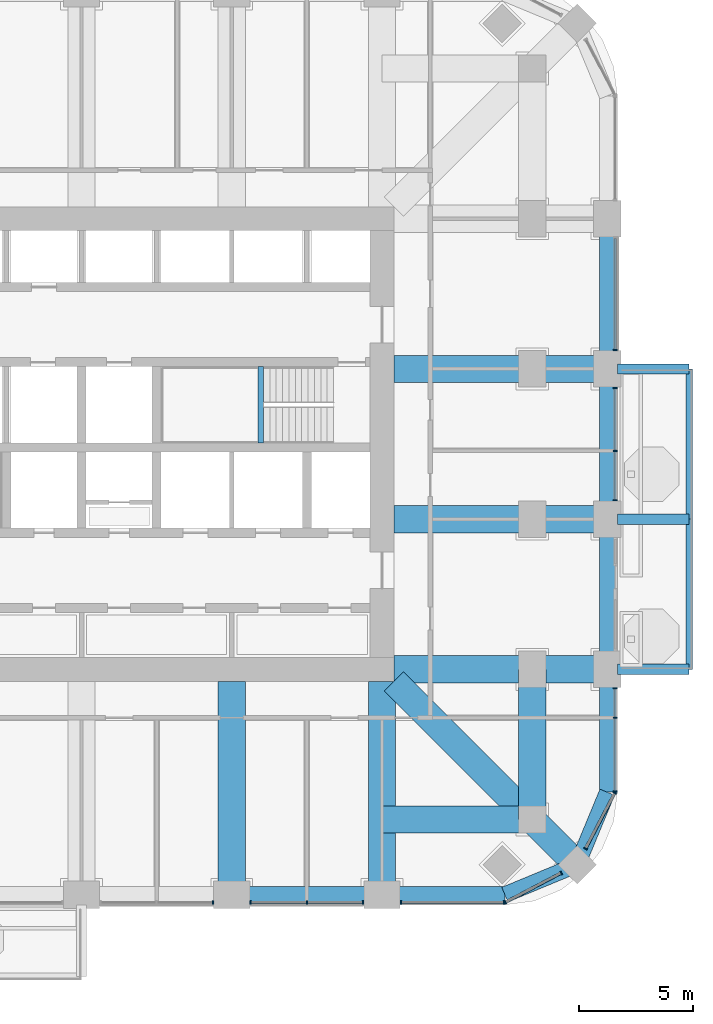
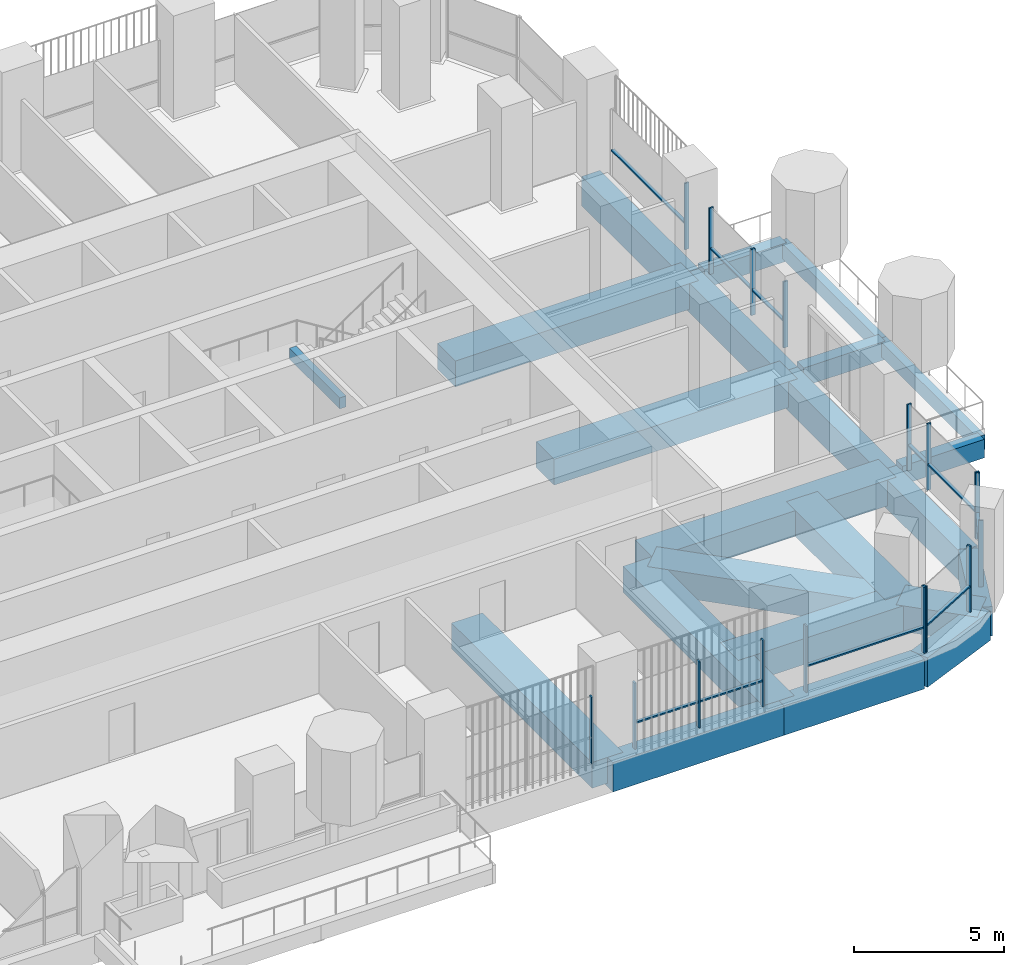
# One storey, part 5 of 20: 27 members, 23 beams, 8 elements without a shape of their own.
"""IFC4 building model written with IfcOpenShell, lengths in metres."""

from ifc_helpers import new_model, si_unit, direction, frame, origin, origin_2d, place, context, subcontext, project, spatial, rectangle, extrude, material, material_profile, profile_set, type_object, element, aggregate, save


model = new_model("IFC4")

# Units and contexts
model_context = context("Model", 3, precision=1e-05, world=origin(), true_north=direction((0.0, 1.0)))
body_context = subcontext(model_context, "Body", "Model", "MODEL_VIEW")
ifc_project = project(units=[si_unit("LENGTHUNIT", "METRE"), si_unit("AREAUNIT", "SQUARE_METRE"), si_unit("VOLUMEUNIT", "CUBIC_METRE"), si_unit("PLANEANGLEUNIT", "RADIAN"), si_unit("MASSUNIT", "GRAM", prefix="KILO")], contexts=[model_context])

# Site, building, storey
site_placement = place(None, origin())
site = spatial("IfcSite", under=ifc_project, at=site_placement, CompositionType="ELEMENT")
building_placement = place(site_placement, origin())
building = spatial("IfcBuilding", under=site, at=building_placement, Name="Cobogo Forest Laboratory Tower", CompositionType="ELEMENT")
storey_placement = place(building_placement, frame((0.0, 0.0, 168.300048828125)))
storey = spatial("IfcBuildingStorey", under=building, at=storey_placement, Name="L38", CompositionType="ELEMENT", Elevation=168.300048828125)

# Beams
ifc_material_1 = material(Name="Concrete HA-40 (C40/50)", Category="concrete")
ifc_material_profile_1 = material_profile(ifc_material_1, rectangle(XDim=0.449951171875, YDim=0.75, at=origin_2d()), Name="RC 450x750")
ifc_profile_set_1 = profile_set([ifc_material_profile_1], Name="Concrete HA-40 (C40/50)")
beam_type_1 = type_object("IfcBeamType", Name="Balcony cantilever beam 450x750", PredefinedType="BEAM", material=ifc_profile_set_1)
for number, where, z_axis, x_axis, name in (
    (1, (49.949951171875, 13.199951171875, -0.625), (1.0, 0.0, 0.0), (0.0, 1.0, 0.0), "CB1 BAL-E1-C1 L38"),
    (2, (49.949951171875, 19.800048828125, -0.625), (1.0, 0.0, 0.0), (0.0, 1.0, 0.0), "CB1 BAL-E1-C2 L38"),
    (3, (49.949951171875, 26.39990234375, -0.625), (1.0, 0.0, 0.0), (0.0, 1.0, 0.0), "CB1 BAL-E1-C3 L38"),
):
    element("IfcBeam", number, at=place(storey_placement, frame(where, z_axis=z_axis, x_axis=x_axis)), inside=storey, type_object=beam_type_1, Name=name, PredefinedType="BEAM", context=body_context, shape_type="SweptSolid", body=[
        extrude(rectangle(XDim=0.449951171875, YDim=0.75, at=origin_2d()), origin(), (0.0, 0.0, 1.0), 3.150146484375),
    ])
ifc_material_profile_2 = material_profile(ifc_material_1, rectangle(XDim=0.300048828125, YDim=0.60009765625, at=origin_2d()), Name="RC 300x600")
ifc_profile_set_2 = profile_set([ifc_material_profile_2], Name="Concrete HA-40 (C40/50)")
beam_type_2 = type_object("IfcBeamType", Name="Balcony edge beam 300x600", PredefinedType="BEAM", material=ifc_profile_set_2)
beam_1_placement = place(storey_placement, frame((53.10009765625, 13.199951171875, -0.550048828125), z_axis=(0.0, 1.0, 0.0), x_axis=(-1.0, 0.0, 0.0)))
element("IfcBeam", 4, at=beam_1_placement, inside=storey, type_object=beam_type_2, Name="BB1 BAL-E1-T1 L38", PredefinedType="BEAM", context=body_context, shape_type="SweptSolid", body=[
    extrude(rectangle(XDim=0.300048828125, YDim=0.60009765625, at=origin_2d()), origin(), (0.0, 0.0, 1.0), 6.60009765625),
])
beam_2_placement = place(storey_placement, frame((53.10009765625, 19.800048828125, -0.550048828125), z_axis=(0.0, 1.0, 0.0), x_axis=(-1.0, 0.0, 0.0)))
element("IfcBeam", 5, at=beam_2_placement, inside=storey, type_object=beam_type_2, Name="BB1 BAL-E1-T2 L38", PredefinedType="BEAM", context=body_context, shape_type="SweptSolid", body=[
    extrude(rectangle(XDim=0.300048828125, YDim=0.60009765625, at=origin_2d()), origin(), (0.0, 0.0, 1.0), 6.599853515625),
])
ifc_material_profile_3 = material_profile(ifc_material_1, rectangle(XDim=0.25, YDim=0.449951171875, at=origin_2d()), Name="RC 250x450")
ifc_profile_set_3 = profile_set([ifc_material_profile_3], Name="Concrete HA-40 (C40/50)")
beam_type_3 = type_object("IfcBeamType", Name="LB1 landing beam 250x450", PredefinedType="BEAM", material=ifc_profile_set_3)
beam_3_placement = place(storey_placement, frame((34.27001953125, 23.14990234375, 1.675048828125), z_axis=(0.0, 1.0, 0.0), x_axis=(-1.0, 0.0, 0.0)))
element("IfcBeam", 6, at=beam_3_placement, inside=storey, type_object=beam_type_3, Name="Landing beam ST2 L38", PredefinedType="BEAM", context=body_context, shape_type="SweptSolid", body=[
    extrude(rectangle(XDim=0.25, YDim=0.449951171875, at=origin_2d()), origin(), (0.0, 0.0, 1.0), 3.35009765625),
])
ifc_material_profile_4 = material_profile(ifc_material_1, rectangle(XDim=1.199951171875, YDim=1.050048828125, at=origin_2d()), Name="RC 1200x1050")
ifc_profile_set_4 = profile_set([ifc_material_profile_4], Name="Concrete HA-40 (C40/50)")
beam_type_4 = type_object("IfcBeamType", Name="Laboratory floor wide beam 1200x1050", PredefinedType="BEAM", material=ifc_profile_set_4)
for number, where, z_axis, x_axis, name in (
    (7, (33.0, 12.675048828125, -0.824951171875), (0.0, -1.0, 0.0), (1.0, 0.0, 0.0), "RB1 R-6-S L38"),
    (8, (39.60009765625, 12.675048828125, -0.824951171875), (0.0, -1.0, 0.0), (1.0, 0.0, 0.0), "RB1 R-7-S L38"),
    (9, (40.125, 13.199951171875, -0.824951171875), (1.0, 0.0, 0.0), (0.0, 1.0, 0.0), "RB1 R-C-E L38"),
    (10, (40.125, 19.800048828125, -0.824951171875), (1.0, 0.0, 0.0), (0.0, 1.0, 0.0), "RB1 R-D-E L38"),
    (11, (40.125, 26.39990234375, -0.824951171875), (1.0, 0.0, 0.0), (0.0, 1.0, 0.0), "RB1 R-E-E L38"),
):
    element("IfcBeam", number, at=place(storey_placement, frame(where, z_axis=z_axis, x_axis=x_axis)), inside=storey, type_object=beam_type_4, Name=name, PredefinedType="BEAM", context=body_context, shape_type="SweptSolid", body=[
        extrude(rectangle(XDim=1.199951171875, YDim=1.050048828125, at=origin_2d()), origin(), (0.0, 0.0, 1.0), 9.375),
    ])
for number, where, z_axis, x_axis, name in (
    (12, (46.199951171875, 6.60009765625, -0.824951171875), (0.0, 1.0, 0.0), (-1.0, 0.0, 0.0), "RB1 G-SE-XC L38"),
    (13, (46.199951171875, 6.60009765625, -0.824951171875), (-1.0, 0.0, 0.0), (0.0, -1.0, 0.0), "RB1 G-SE-YC L38"),
):
    element("IfcBeam", number, at=place(storey_placement, frame(where, z_axis=z_axis, x_axis=x_axis)), inside=storey, type_object=beam_type_4, Name=name, PredefinedType="BEAM", context=body_context, shape_type="SweptSolid", body=[
        extrude(rectangle(XDim=1.199951171875, YDim=1.050048828125, at=origin_2d()), origin(), (0.0, 0.0, 1.0), 6.599853515625),
    ])
beam_4_placement = place(storey_placement, frame((48.181884765625, 4.617919921875, -0.824951171875), z_axis=(-0.707063230743, 0.707150328948, 0.0), x_axis=(-0.707150328948, -0.707063230743, 0.0)))
element("IfcBeam", 14, at=beam_4_placement, inside=storey, type_object=beam_type_4, Name="RB1 G-SE-D1 L38", PredefinedType="BEAM", context=body_context, shape_type="SweptSolid", body=[
    extrude(rectangle(XDim=1.199951171875, YDim=1.050048828125, at=origin_2d()), origin(), (0.0, 0.0, 1.0), 2.802978515625),
])
beam_5_placement = place(storey_placement, frame((46.199951171875, 6.60009765625, -0.824951171875), z_axis=(-0.707106781187, 0.707106781187, 0.0), x_axis=(-0.707106781187, -0.707106781187, 0.0)))
element("IfcBeam", 15, at=beam_5_placement, inside=storey, type_object=beam_type_4, Name="RB1 G-SE-D2 L38", PredefinedType="BEAM", context=body_context, shape_type="SweptSolid", body=[
    extrude(rectangle(XDim=1.199951171875, YDim=1.050048828125, at=origin_2d()), origin(), (0.0, 0.0, 1.0), 8.59130859375),
])

# Curtain wall, member
ifc_material_2 = material(Name="Aluminium curtain wall", Category="aluminium")
curtain_wall_type = type_object("IfcCurtainWallType", Name="CW-2 unitised curtain wall, solar control glazing, laboratory floors zones C and D", PredefinedType="USERDEFINED", material=ifc_material_2)
curtain_wall_1_placement = place(storey_placement, origin())
curtain_wall_1 = element("IfcCurtainWall", 16, at=curtain_wall_1_placement, inside=storey, type_object=curtain_wall_type, Name="Curtain wall 04 L38", ObjectType="UNITISED CURTAIN WALL", PredefinedType="USERDEFINED")
ifc_material_3 = material(Name="Aluminium mullion", Category="aluminium")
ifc_material_profile_5 = material_profile(ifc_material_3, rectangle(XDim=0.06005859375, YDim=0.159912109375, at=origin_2d()), Name="AL 60x160")
ifc_profile_set_5 = profile_set([ifc_material_profile_5], Name="Aluminium mullion")
member_type_1 = type_object("IfcMemberType", Name="MU-1 aluminium mullion 60x160", PredefinedType="MULLION", material=ifc_profile_set_5)
member_1_placement = place(storey_placement, frame((32.169921875, 2.949951171875, 0.0), z_axis=(0.0, 0.0, 1.0), x_axis=(1.0, 0.0, 0.0)))
member_1 = element("IfcMember", 17, at=member_1_placement, type_object=member_type_1, Name="CW-2 mullion 3", PredefinedType="MULLION", context=body_context, shape_type="SweptSolid", body=[
    extrude(rectangle(XDim=0.06005859375, YDim=0.159912109375, at=origin_2d()), origin(), (0.0, 0.0, 1.0), 2.699951171875),
])
aggregate(curtain_wall_1, [member_1])

# Curtain wall, members
curtain_wall_2_placement = place(storey_placement, origin())
curtain_wall_2 = element("IfcCurtainWall", 18, at=curtain_wall_2_placement, inside=storey, type_object=curtain_wall_type, Name="Curtain wall 05 L38", ObjectType="UNITISED CURTAIN WALL", PredefinedType="USERDEFINED")
member_2_placement = place(storey_placement, frame((33.830078125, 2.949951171875, 0.0), z_axis=(0.0, 0.0, 1.0), x_axis=(1.0, 0.0, 0.0)))
member_2 = element("IfcMember", 19, at=member_2_placement, type_object=member_type_1, Name="CW-2 mullion 1", PredefinedType="MULLION", context=body_context, shape_type="SweptSolid", body=[
    extrude(rectangle(XDim=0.06005859375, YDim=0.159912109375, at=origin_2d()), origin(), (0.0, 0.0, 1.0), 2.699951171875),
])
member_3_placement = place(storey_placement, frame((36.300048828125, 2.949951171875, 0.0), z_axis=(0.0, 0.0, 1.0), x_axis=(1.0, 0.0, 0.0)))
member_3 = element("IfcMember", 20, at=member_3_placement, type_object=member_type_1, Name="CW-2 mullion 2", PredefinedType="MULLION", context=body_context, shape_type="SweptSolid", body=[
    extrude(rectangle(XDim=0.06005859375, YDim=0.159912109375, at=origin_2d()), origin(), (0.0, 0.0, 1.0), 2.699951171875),
])
member_4_placement = place(storey_placement, frame((38.77001953125, 2.949951171875, 0.0), z_axis=(0.0, 0.0, 1.0), x_axis=(1.0, 0.0, 0.0)))
member_4 = element("IfcMember", 21, at=member_4_placement, type_object=member_type_1, Name="CW-2 mullion 3", PredefinedType="MULLION", context=body_context, shape_type="SweptSolid", body=[
    extrude(rectangle(XDim=0.06005859375, YDim=0.159912109375, at=origin_2d()), origin(), (0.0, 0.0, 1.0), 2.699951171875),
])

curtain_wall_3_placement = place(storey_placement, origin())
curtain_wall_3 = element("IfcCurtainWall", 22, at=curtain_wall_3_placement, inside=storey, type_object=curtain_wall_type, Name="Curtain wall 06 L38", ObjectType="UNITISED CURTAIN WALL", PredefinedType="USERDEFINED")
member_5_placement = place(storey_placement, frame((40.429931640625, 2.949951171875, 0.0), z_axis=(0.0, 0.0, 1.0), x_axis=(1.0, 0.0, 0.0)))
member_5 = element("IfcMember", 23, at=member_5_placement, type_object=member_type_1, Name="CW-2 mullion 1", PredefinedType="MULLION", context=body_context, shape_type="SweptSolid", body=[
    extrude(rectangle(XDim=0.06005859375, YDim=0.159912109375, at=origin_2d()), origin(), (0.0, 0.0, 1.0), 2.699951171875),
])
member_6_placement = place(storey_placement, frame((44.969970703125, 2.949951171875, 0.0), z_axis=(0.0, 0.0, 1.0), x_axis=(1.0, 0.0, 0.0)))
member_6 = element("IfcMember", 24, at=member_6_placement, type_object=member_type_1, Name="CW-2 mullion 2", PredefinedType="MULLION", context=body_context, shape_type="SweptSolid", body=[
    extrude(rectangle(XDim=0.06005859375, YDim=0.159912109375, at=origin_2d()), origin(), (0.0, 0.0, 1.0), 2.699951171875),
])

curtain_wall_4_placement = place(storey_placement, origin())
curtain_wall_4 = element("IfcCurtainWall", 25, at=curtain_wall_4_placement, inside=storey, type_object=curtain_wall_type, Name="Curtain wall 07 L38", ObjectType="UNITISED CURTAIN WALL", PredefinedType="USERDEFINED")
member_7_placement = place(storey_placement, frame((45.026611328125, 2.9638671875, 0.0), z_axis=(0.0, 0.0, 1.0), x_axis=(0.885686477022, 0.464283818822, 0.0)))
member_7 = element("IfcMember", 26, at=member_7_placement, type_object=member_type_1, Name="CW-2 mullion 1", PredefinedType="MULLION", context=body_context, shape_type="SweptSolid", body=[
    extrude(rectangle(XDim=0.06005859375, YDim=0.159912109375, at=origin_2d()), origin(), (0.0, 0.0, 1.0), 2.699951171875),
])
member_8_placement = place(storey_placement, frame((47.47802734375, 4.2490234375, 0.0), z_axis=(0.0, 0.0, 1.0), x_axis=(0.885686477022, 0.464283818822, 0.0)))
member_8 = element("IfcMember", 27, at=member_8_placement, type_object=member_type_1, Name="CW-2 mullion 2", PredefinedType="MULLION", context=body_context, shape_type="SweptSolid", body=[
    extrude(rectangle(XDim=0.06005859375, YDim=0.159912109375, at=origin_2d()), origin(), (0.0, 0.0, 1.0), 2.699951171875),
])

curtain_wall_5_placement = place(storey_placement, origin())
curtain_wall_5 = element("IfcCurtainWall", 28, at=curtain_wall_5_placement, inside=storey, type_object=curtain_wall_type, Name="Curtain wall 08 L38", ObjectType="UNITISED CURTAIN WALL", PredefinedType="USERDEFINED")
member_9_placement = place(storey_placement, frame((48.551025390625, 5.322021484375, 0.0), z_axis=(0.0, 0.0, 1.0), x_axis=(0.464283818822, 0.885686477022, 0.0)))
member_9 = element("IfcMember", 29, at=member_9_placement, type_object=member_type_1, Name="CW-2 mullion 1", PredefinedType="MULLION", context=body_context, shape_type="SweptSolid", body=[
    extrude(rectangle(XDim=0.06005859375, YDim=0.159912109375, at=origin_2d()), origin(), (0.0, 0.0, 1.0), 2.699951171875),
])
member_10_placement = place(storey_placement, frame((49.836181640625, 7.7734375, 0.0), z_axis=(0.0, 0.0, 1.0), x_axis=(0.464283818822, 0.885686477022, 0.0)))
member_10 = element("IfcMember", 30, at=member_10_placement, type_object=member_type_1, Name="CW-2 mullion 2", PredefinedType="MULLION", context=body_context, shape_type="SweptSolid", body=[
    extrude(rectangle(XDim=0.06005859375, YDim=0.159912109375, at=origin_2d()), origin(), (0.0, 0.0, 1.0), 2.699951171875),
])

curtain_wall_6_placement = place(storey_placement, origin())
curtain_wall_6 = element("IfcCurtainWall", 31, at=curtain_wall_6_placement, inside=storey, type_object=curtain_wall_type, Name="Curtain wall 09 L38", ObjectType="UNITISED CURTAIN WALL", PredefinedType="USERDEFINED")
member_11_placement = place(storey_placement, frame((49.85009765625, 7.830078125, 0.0), z_axis=(0.0, 0.0, 1.0), x_axis=(0.0, 1.0, 0.0)))
member_11 = element("IfcMember", 32, at=member_11_placement, type_object=member_type_1, Name="CW-2 mullion 1", PredefinedType="MULLION", context=body_context, shape_type="SweptSolid", body=[
    extrude(rectangle(XDim=0.06005859375, YDim=0.159912109375, at=origin_2d()), origin(), (0.0, 0.0, 1.0), 2.699951171875),
])
member_12_placement = place(storey_placement, frame((49.85009765625, 11.074951171875, 0.0), z_axis=(0.0, 0.0, 1.0), x_axis=(0.0, 1.0, 0.0)))
member_12 = element("IfcMember", 33, at=member_12_placement, type_object=member_type_1, Name="CW-2 mullion 2", PredefinedType="MULLION", context=body_context, shape_type="SweptSolid", body=[
    extrude(rectangle(XDim=0.06005859375, YDim=0.159912109375, at=origin_2d()), origin(), (0.0, 0.0, 1.0), 2.699951171875),
])
member_13_placement = place(storey_placement, frame((49.85009765625, 12.3701171875, 0.0), z_axis=(0.0, 0.0, 1.0), x_axis=(0.0, 1.0, 0.0)))
member_13 = element("IfcMember", 34, at=member_13_placement, type_object=member_type_1, Name="CW-2 mullion 3", PredefinedType="MULLION", context=body_context, shape_type="SweptSolid", body=[
    extrude(rectangle(XDim=0.06005859375, YDim=0.159912109375, at=origin_2d()), origin(), (0.0, 0.0, 1.0), 2.699951171875),
])

curtain_wall_7_placement = place(storey_placement, origin())
curtain_wall_7 = element("IfcCurtainWall", 35, at=curtain_wall_7_placement, inside=storey, type_object=curtain_wall_type, Name="Curtain wall 11 L38", ObjectType="UNITISED CURTAIN WALL", PredefinedType="USERDEFINED")
member_14_placement = place(storey_placement, frame((49.85009765625, 20.6298828125, 0.0), z_axis=(0.0, 0.0, 1.0), x_axis=(0.0, 1.0, 0.0)))
member_14 = element("IfcMember", 36, at=member_14_placement, type_object=member_type_1, Name="CW-2 mullion 1", PredefinedType="MULLION", context=body_context, shape_type="SweptSolid", body=[
    extrude(rectangle(XDim=0.06005859375, YDim=0.159912109375, at=origin_2d()), origin(), (0.0, 0.0, 1.0), 2.699951171875),
])
member_15_placement = place(storey_placement, frame((49.85009765625, 22.800048828125, 0.0), z_axis=(0.0, 0.0, 1.0), x_axis=(0.0, 1.0, 0.0)))
member_15 = element("IfcMember", 37, at=member_15_placement, type_object=member_type_1, Name="CW-2 mullion 2", PredefinedType="MULLION", context=body_context, shape_type="SweptSolid", body=[
    extrude(rectangle(XDim=0.06005859375, YDim=0.159912109375, at=origin_2d()), origin(), (0.0, 0.0, 1.0), 2.699951171875),
])
member_16_placement = place(storey_placement, frame((49.85009765625, 25.570068359375, 0.0), z_axis=(0.0, 0.0, 1.0), x_axis=(0.0, 1.0, 0.0)))
member_16 = element("IfcMember", 38, at=member_16_placement, type_object=member_type_1, Name="CW-2 mullion 3", PredefinedType="MULLION", context=body_context, shape_type="SweptSolid", body=[
    extrude(rectangle(XDim=0.06005859375, YDim=0.159912109375, at=origin_2d()), origin(), (0.0, 0.0, 1.0), 2.699951171875),
])

# Curtain wall, member
curtain_wall_8_placement = place(storey_placement, origin())
curtain_wall_8 = element("IfcCurtainWall", 39, at=curtain_wall_8_placement, inside=storey, type_object=curtain_wall_type, Name="Curtain wall 12 L38", ObjectType="UNITISED CURTAIN WALL", PredefinedType="USERDEFINED")
member_17_placement = place(storey_placement, frame((49.85009765625, 27.22998046875, 0.0), z_axis=(0.0, 0.0, 1.0), x_axis=(0.0, 1.0, 0.0)))
member_17 = element("IfcMember", 40, at=member_17_placement, type_object=member_type_1, Name="CW-2 mullion 1", PredefinedType="MULLION", context=body_context, shape_type="SweptSolid", body=[
    extrude(rectangle(XDim=0.06005859375, YDim=0.159912109375, at=origin_2d()), origin(), (0.0, 0.0, 1.0), 2.699951171875),
])

# Beams
ifc_material_profile_6 = material_profile(ifc_material_1, rectangle(XDim=0.699951171875, YDim=1.199951171875, at=origin_2d()), Name="RC 700x1200")
ifc_profile_set_6 = profile_set([ifc_material_profile_6], Name="Concrete HA-40 (C40/50)")
beam_type_5 = type_object("IfcBeamType", Name="Perimeter edge beam 700x1200", PredefinedType="BEAM", material=ifc_profile_set_6)
for number, where, z_axis, x_axis, name in (
    (41, (33.0, 3.300048828125, -0.900146484375), (1.0, 0.0, 0.0), (0.0, 1.0, 0.0), "EB1 E-S4 L38"),
    (42, (49.5, 13.199951171875, -0.900146484375), (0.0, 1.0, 0.0), (-1.0, 0.0, 0.0), "EB1 E-E1 L38"),
):
    element("IfcBeam", number, at=place(storey_placement, frame(where, z_axis=z_axis, x_axis=x_axis)), inside=storey, type_object=beam_type_5, Name=name, PredefinedType="BEAM", context=body_context, shape_type="SweptSolid", body=[
        extrude(rectangle(XDim=0.699951171875, YDim=1.199951171875, at=origin_2d()), origin(), (0.0, 0.0, 1.0), 6.60009765625),
    ])
beam_6_placement = place(storey_placement, frame((49.5, 19.800048828125, -0.900146484375), z_axis=(0.0, 1.0, 0.0), x_axis=(-1.0, 0.0, 0.0)))
element("IfcBeam", 43, at=beam_6_placement, inside=storey, type_object=beam_type_5, Name="EB1 E-E2 L38", PredefinedType="BEAM", context=body_context, shape_type="SweptSolid", body=[
    extrude(rectangle(XDim=0.699951171875, YDim=1.199951171875, at=origin_2d()), origin(), (0.0, 0.0, 1.0), 6.599853515625),
])
beam_7_placement = place(storey_placement, frame((49.5, 26.39990234375, -0.900146484375), z_axis=(0.0, 1.0, 0.0), x_axis=(-1.0, 0.0, 0.0)))
element("IfcBeam", 44, at=beam_7_placement, inside=storey, type_object=beam_type_5, Name="EB1 E-E3 L38", PredefinedType="BEAM", context=body_context, shape_type="SweptSolid", body=[
    extrude(rectangle(XDim=0.699951171875, YDim=1.199951171875, at=origin_2d()), origin(), (0.0, 0.0, 1.0), 6.60009765625),
])
beam_8_placement = place(storey_placement, frame((39.60009765625, 3.300048828125, -0.900146484375), z_axis=(1.0, 0.0, 0.0), x_axis=(0.0, 1.0, 0.0)))
element("IfcBeam", 45, at=beam_8_placement, inside=storey, type_object=beam_type_5, Name="EB1 E-SES1 L38", PredefinedType="BEAM", context=body_context, shape_type="SweptSolid", body=[
    extrude(rectangle(XDim=0.699951171875, YDim=1.199951171875, at=origin_2d()), origin(), (0.0, 0.0, 1.0), 5.39990234375),
])
beam_9_placement = place(storey_placement, frame((45.0, 3.300048828125, -0.900146484375), z_axis=(0.923890694089, 0.382656484822, 0.0), x_axis=(-0.382656484822, 0.923890694089, 0.0)))
element("IfcBeam", 46, at=beam_9_placement, inside=storey, type_object=beam_type_5, Name="EB1 E-SES2 L38", PredefinedType="BEAM", context=body_context, shape_type="SweptSolid", body=[
    extrude(rectangle(XDim=0.699951171875, YDim=1.199951171875, at=origin_2d()), origin(), (0.0, 0.0, 1.0), 3.444091796875),
])
beam_10_placement = place(storey_placement, frame((49.5, 13.199951171875, -0.900146484375), z_axis=(0.0, -1.0, 0.0), x_axis=(1.0, 0.0, 0.0)))
element("IfcBeam", 47, at=beam_10_placement, inside=storey, type_object=beam_type_5, Name="EB1 E-SEE1 L38", PredefinedType="BEAM", context=body_context, shape_type="SweptSolid", body=[
    extrude(rectangle(XDim=0.699951171875, YDim=1.199951171875, at=origin_2d()), origin(), (0.0, 0.0, 1.0), 5.39990234375),
])
beam_11_placement = place(storey_placement, frame((49.5, 7.800048828125, -0.900146484375), z_axis=(-0.382691928466, -0.923876013265, 0.0), x_axis=(0.923876013265, -0.382691928466, 0.0)))
element("IfcBeam", 48, at=beam_11_placement, inside=storey, type_object=beam_type_5, Name="EB1 E-SEE2 L38", PredefinedType="BEAM", context=body_context, shape_type="SweptSolid", body=[
    extrude(rectangle(XDim=0.699951171875, YDim=1.199951171875, at=origin_2d()), origin(), (0.0, 0.0, 1.0), 3.4443359375),
])

# Member
ifc_material_4 = material(Name="Aluminium transom", Category="aluminium")
ifc_material_profile_7 = material_profile(ifc_material_4, rectangle(XDim=0.1201171875, YDim=0.06005859375, at=origin_2d()), Name="AL 60x120")
ifc_profile_set_7 = profile_set([ifc_material_profile_7], Name="Aluminium transom")
member_type_2 = type_object("IfcMemberType", Name="TR-1 aluminium transom 60x120", PredefinedType="USERDEFINED", material=ifc_profile_set_7)
member_18_placement = place(storey_placement, frame((33.860107421875, 2.949951171875, 1.050048828125), z_axis=(1.0, 0.0, 0.0), x_axis=(0.0, 1.0, 0.0)))
member_18 = element("IfcMember", 49, at=member_18_placement, type_object=member_type_2, Name="CW-2 transom 1.1", ObjectType="TRANSOM", PredefinedType="USERDEFINED", context=body_context, shape_type="SweptSolid", body=[
    extrude(rectangle(XDim=0.1201171875, YDim=0.06005859375, at=origin_2d()), origin(), (0.0, 0.0, 1.0), 2.409912109375),
])

member_19_placement = place(storey_placement, frame((36.330078125, 2.949951171875, 1.050048828125), z_axis=(1.0, 0.0, 0.0), x_axis=(0.0, 1.0, 0.0)))
member_19 = element("IfcMember", 50, at=member_19_placement, type_object=member_type_2, Name="CW-2 transom 2.1", ObjectType="TRANSOM", PredefinedType="USERDEFINED", context=body_context, shape_type="SweptSolid", body=[
    extrude(rectangle(XDim=0.1201171875, YDim=0.06005859375, at=origin_2d()), origin(), (0.0, 0.0, 1.0), 2.409912109375),
])

aggregate(curtain_wall_2, [member_2, member_3, member_4, member_18, member_19])

member_20_placement = place(storey_placement, frame((40.4599609375, 2.949951171875, 1.050048828125), z_axis=(1.0, 0.0, 0.0), x_axis=(0.0, 1.0, 0.0)))
member_20 = element("IfcMember", 51, at=member_20_placement, type_object=member_type_2, Name="CW-2 transom 1.1", ObjectType="TRANSOM", PredefinedType="USERDEFINED", context=body_context, shape_type="SweptSolid", body=[
    extrude(rectangle(XDim=0.1201171875, YDim=0.06005859375, at=origin_2d()), origin(), (0.0, 0.0, 1.0), 4.47998046875),
])

aggregate(curtain_wall_3, [member_5, member_6, member_20])

member_21_placement = place(storey_placement, frame((45.05322265625, 2.977783203125, 1.050048828125), z_axis=(0.885660295744, 0.464333759857, 0.0), x_axis=(-0.464333759857, 0.885660295744, 0.0)))
member_21 = element("IfcMember", 52, at=member_21_placement, type_object=member_type_2, Name="CW-2 transom 1.1", ObjectType="TRANSOM", PredefinedType="USERDEFINED", context=body_context, shape_type="SweptSolid", body=[
    extrude(rectangle(XDim=0.1201171875, YDim=0.06005859375, at=origin_2d()), origin(), (0.0, 0.0, 1.0), 2.707763671875),
])

aggregate(curtain_wall_4, [member_7, member_8, member_21])

member_22_placement = place(storey_placement, frame((48.56494140625, 5.348388671875, 1.050048828125), z_axis=(0.464225959694, 0.885716804823, 0.0), x_axis=(-0.885716804823, 0.464225959694, 0.0)))
member_22 = element("IfcMember", 53, at=member_22_placement, type_object=member_type_2, Name="CW-2 transom 1.1", ObjectType="TRANSOM", PredefinedType="USERDEFINED", context=body_context, shape_type="SweptSolid", body=[
    extrude(rectangle(XDim=0.1201171875, YDim=0.06005859375, at=origin_2d()), origin(), (0.0, 0.0, 1.0), 2.7080078125),
])

aggregate(curtain_wall_5, [member_9, member_10, member_22])

member_23_placement = place(storey_placement, frame((49.85009765625, 7.860107421875, 1.050048828125), z_axis=(0.0, 1.0, 0.0), x_axis=(-1.0, 0.0, 0.0)))
member_23 = element("IfcMember", 54, at=member_23_placement, type_object=member_type_2, Name="CW-2 transom 1.1", ObjectType="TRANSOM", PredefinedType="USERDEFINED", context=body_context, shape_type="SweptSolid", body=[
    extrude(rectangle(XDim=0.1201171875, YDim=0.06005859375, at=origin_2d()), origin(), (0.0, 0.0, 1.0), 3.184814453125),
])

member_24_placement = place(storey_placement, frame((49.85009765625, 11.10498046875, 1.050048828125), z_axis=(0.0, 1.0, 0.0), x_axis=(-1.0, 0.0, 0.0)))
member_24 = element("IfcMember", 55, at=member_24_placement, type_object=member_type_2, Name="CW-2 transom 2.1", ObjectType="TRANSOM", PredefinedType="USERDEFINED", context=body_context, shape_type="SweptSolid", body=[
    extrude(rectangle(XDim=0.1201171875, YDim=0.06005859375, at=origin_2d()), origin(), (0.0, 0.0, 1.0), 1.235107421875),
])

aggregate(curtain_wall_6, [member_11, member_12, member_13, member_23, member_24])

member_25_placement = place(storey_placement, frame((49.85009765625, 20.659912109375, 1.050048828125), z_axis=(0.0, 1.0, 0.0), x_axis=(-1.0, 0.0, 0.0)))
member_25 = element("IfcMember", 56, at=member_25_placement, type_object=member_type_2, Name="CW-2 transom 1.1", ObjectType="TRANSOM", PredefinedType="USERDEFINED", context=body_context, shape_type="SweptSolid", body=[
    extrude(rectangle(XDim=0.1201171875, YDim=0.06005859375, at=origin_2d()), origin(), (0.0, 0.0, 1.0), 2.110107421875),
])

member_26_placement = place(storey_placement, frame((49.85009765625, 22.830078125, 1.050048828125), z_axis=(0.0, 1.0, 0.0), x_axis=(-1.0, 0.0, 0.0)))
member_26 = element("IfcMember", 57, at=member_26_placement, type_object=member_type_2, Name="CW-2 transom 2.1", ObjectType="TRANSOM", PredefinedType="USERDEFINED", context=body_context, shape_type="SweptSolid", body=[
    extrude(rectangle(XDim=0.1201171875, YDim=0.06005859375, at=origin_2d()), origin(), (0.0, 0.0, 1.0), 2.7099609375),
])

aggregate(curtain_wall_7, [member_14, member_15, member_16, member_25, member_26])

member_27_placement = place(storey_placement, frame((49.85009765625, 27.260009765625, 1.050048828125), z_axis=(0.0, 1.0, 0.0), x_axis=(-1.0, 0.0, 0.0)))
member_27 = element("IfcMember", 58, at=member_27_placement, type_object=member_type_2, Name="CW-2 transom 1.1", ObjectType="TRANSOM", PredefinedType="USERDEFINED", context=body_context, shape_type="SweptSolid", body=[
    extrude(rectangle(XDim=0.1201171875, YDim=0.06005859375, at=origin_2d()), origin(), (0.0, 0.0, 1.0), 4.8798828125),
])

aggregate(curtain_wall_8, [member_17, member_27])

save(model, "model.ifc")
